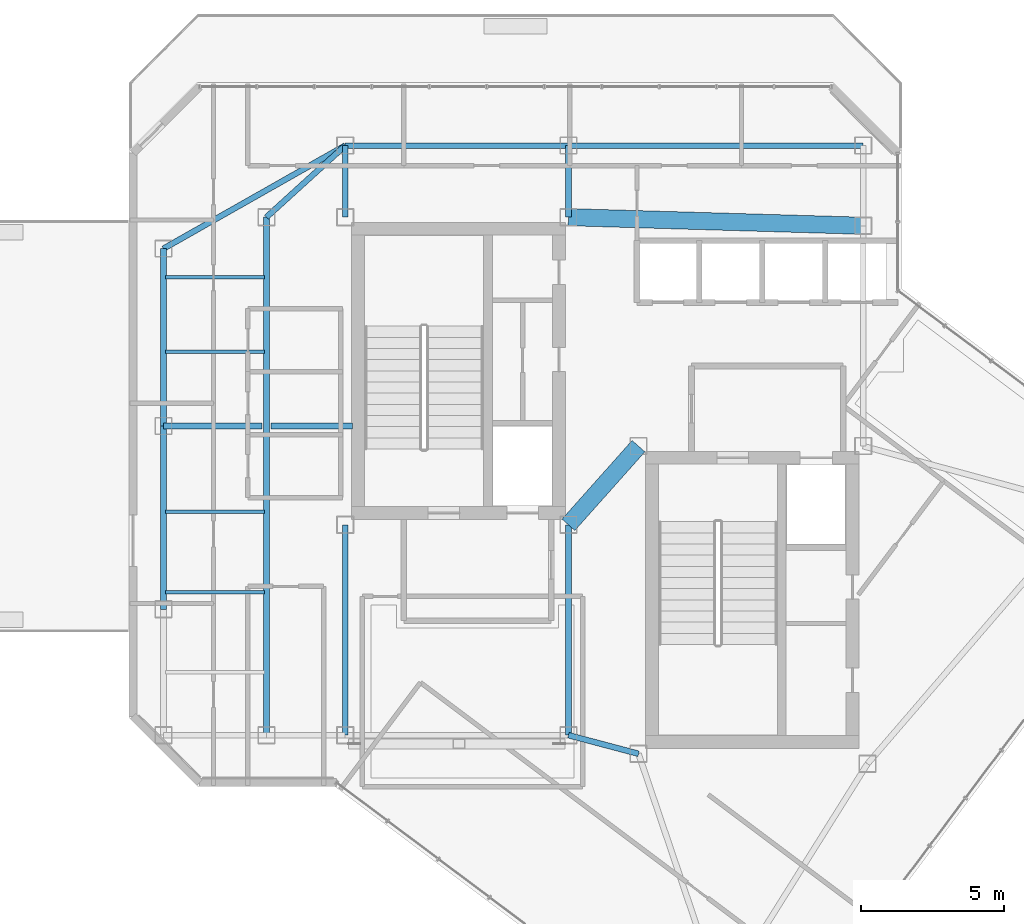
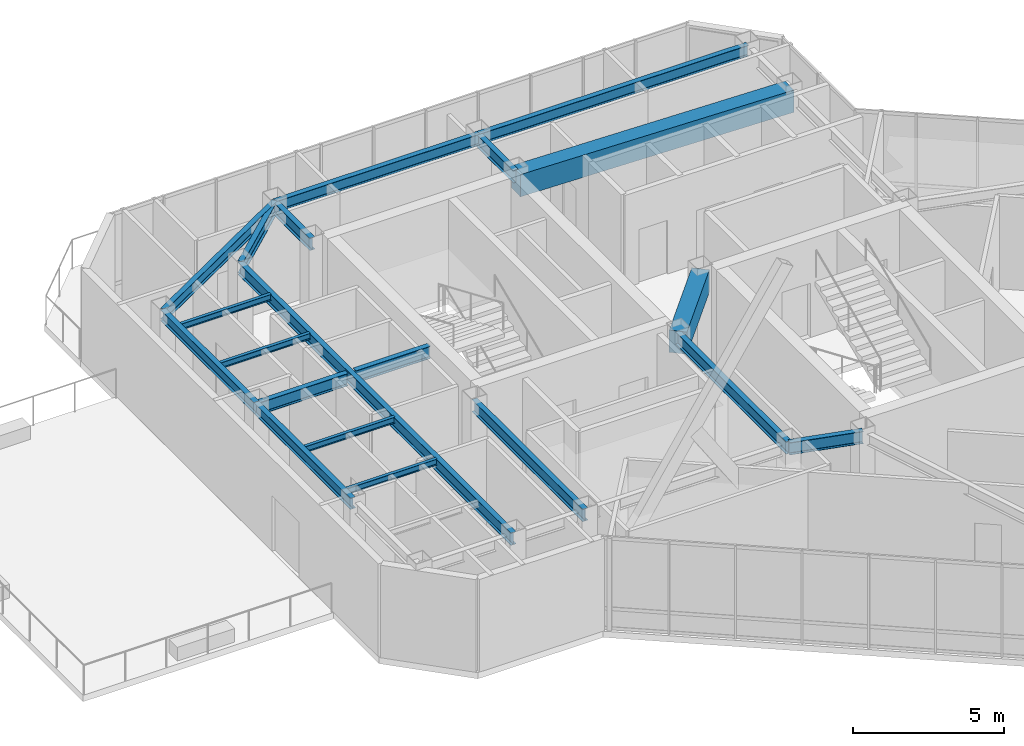
# One storey, part 6 of 21: 20 beams.
"""IFC4 building model written with IfcOpenShell, lengths in metres."""

from ifc_helpers import new_model, si_unit, direction, frame, origin, origin_2d, place, context, subcontext, project, spatial, rectangle, i_section, extrude, material, material_profile, profile_set, type_object, element, save


model = new_model("IFC4")

# Units and contexts
model_context = context("Model", 3, precision=1e-05, world=origin(), true_north=direction((0.0, 1.0)))
body_context = subcontext(model_context, "Body", "Model", "MODEL_VIEW")
ifc_project = project(units=[si_unit("LENGTHUNIT", "METRE"), si_unit("AREAUNIT", "SQUARE_METRE"), si_unit("VOLUMEUNIT", "CUBIC_METRE"), si_unit("PLANEANGLEUNIT", "RADIAN"), si_unit("MASSUNIT", "GRAM", prefix="KILO")], contexts=[model_context])

# Site, building, storey
site_placement = place(None, origin())
site = spatial("IfcSite", under=ifc_project, at=site_placement, CompositionType="ELEMENT")
building_placement = place(site_placement, origin())
building = spatial("IfcBuilding", under=site, at=building_placement, Name="Hatsunagi Terrace Concourse", CompositionType="ELEMENT")
storey_placement = place(building_placement, frame((0.0, 0.0, 265.949951171875)))
storey = spatial("IfcBuildingStorey", under=building, at=storey_placement, Name="L70", CompositionType="ELEMENT", Elevation=265.949951171875)

# Beams
ifc_material_1 = material(Name="Concrete Fc42", Category="concrete")
ifc_material_profile_1 = material_profile(ifc_material_1, rectangle(XDim=0.60009765625, YDim=0.89990234375, at=origin_2d()), Name="RC-600x900")
ifc_profile_set_1 = profile_set([ifc_material_profile_1], Name="Concrete Fc42")
beam_type_1 = type_object("IfcBeamType", Name="CoreCouplingBeam_RC_600x900", PredefinedType="BEAM", material=ifc_profile_set_1)
beam_1_placement = place(storey_placement, frame((33.35009765625, 32.550048828125, 3.300048828125), z_axis=(0.665198651008, 0.746666427997, 0.0), x_axis=(-0.746666427997, 0.665198651008, 0.0)))
element("IfcBeam", 1, at=beam_1_placement, inside=storey, type_object=beam_type_1, Name="Beam CB-03 CB-L70-1", PredefinedType="BEAM", context=body_context, shape_type="SweptSolid", body=[
    extrude(rectangle(XDim=0.60009765625, YDim=0.89990234375, at=origin_2d()), origin(), (0.0, 0.0, 1.0), 3.68310546875),
])
beam_2_placement = place(storey_placement, frame((33.35009765625, 43.300048828125, 3.300048828125), z_axis=(0.999575947545, -0.029119153303, 0.0), x_axis=(0.029119153303, 0.999575947545, 0.0)))
element("IfcBeam", 2, at=beam_2_placement, inside=storey, type_object=beam_type_1, Name="Beam CB-03 CB-L70-2", PredefinedType="BEAM", context=body_context, shape_type="SweptSolid", body=[
    extrude(rectangle(XDim=0.60009765625, YDim=0.89990234375, at=origin_2d()), origin(), (0.0, 0.0, 1.0), 10.30419921875),
])
ifc_material_2 = material(Name="Steel SN490B", Category="steel")
ifc_material_profile_2 = material_profile(ifc_material_2, i_section(OverallWidth=0.199951171875, OverallDepth=0.5, WebThickness=0.010009765625, FlangeThickness=0.01611328125, FilletRadius=0.01611328125, at=origin_2d()), Name="H-500x200x10x16")
ifc_profile_set_2 = profile_set([ifc_material_profile_2], Name="Steel SN490B")
beam_type_2 = type_object("IfcBeamType", Name="CrownFloorGirder_H_500x200", PredefinedType="BEAM", material=ifc_profile_set_2)
for number, where, z_axis, x_axis, name in (
    (3, (25.550048828125, 25.199951171875, 3.5), (0.0, 1.0, 0.0), (-1.0, 0.0, 0.0), "Beam G-07 BM-L70-K1CA"),
    (4, (33.35009765625, 25.199951171875, 3.5), (0.0, 1.0, 0.0), (-1.0, 0.0, 0.0), "Beam G-07 BM-L70-K2CA"),
):
    element("IfcBeam", number, at=place(storey_placement, frame(where, z_axis=z_axis, x_axis=x_axis)), inside=storey, type_object=beam_type_2, Name=name, PredefinedType="BEAM", context=body_context, shape_type="SweptSolid", body=[
        extrude(i_section(OverallWidth=0.199951171875, OverallDepth=0.5, WebThickness=0.010009765625, FlangeThickness=0.01611328125, FilletRadius=0.01611328125, at=origin_2d()), origin(), (0.0, 0.0, 1.0), 7.35009765625),
    ])
beam_3_placement = place(storey_placement, frame((33.35009765625, 25.199951171875, 3.5), z_axis=(0.966569840116, -0.256403479262, 0.0), x_axis=(0.256403479262, 0.966569840116, 0.0)))
element("IfcBeam", 5, at=beam_3_placement, inside=storey, type_object=beam_type_2, Name="Beam G-07 BM-L70-K2CB", PredefinedType="BEAM", context=body_context, shape_type="SweptSolid", body=[
    extrude(i_section(OverallWidth=0.199951171875, OverallDepth=0.5, WebThickness=0.010009765625, FlangeThickness=0.01611328125, FilletRadius=0.01611328125, at=origin_2d()), origin(), (0.0, 0.0, 1.0), 2.53466796875),
])
for number, where, z_axis, x_axis, name in (
    (6, (25.550048828125, 43.300048828125, 3.5), (0.0, 1.0, 0.0), (-1.0, 0.0, 0.0), "Beam G-07 BM-L70-CN1"),
    (7, (33.35009765625, 43.300048828125, 3.5), (0.0, 1.0, 0.0), (-1.0, 0.0, 0.0), "Beam G-07 BM-L70-CN2"),
):
    element("IfcBeam", number, at=place(storey_placement, frame(where, z_axis=z_axis, x_axis=x_axis)), inside=storey, type_object=beam_type_2, Name=name, PredefinedType="BEAM", context=body_context, shape_type="SweptSolid", body=[
        extrude(i_section(OverallWidth=0.199951171875, OverallDepth=0.5, WebThickness=0.010009765625, FlangeThickness=0.01611328125, FilletRadius=0.01611328125, at=origin_2d()), origin(), (0.0, 0.0, 1.0), 2.5),
    ])
beam_4_placement = place(storey_placement, frame((22.800048828125, 25.199951171875, 3.5), z_axis=(0.0, 1.0, 0.0), x_axis=(-1.0, 0.0, 0.0)))
element("IfcBeam", 8, at=beam_4_placement, inside=storey, type_object=beam_type_2, Name="Beam G-07 BM-L70-CWNS", PredefinedType="BEAM", context=body_context, shape_type="SweptSolid", body=[
    extrude(i_section(OverallWidth=0.199951171875, OverallDepth=0.5, WebThickness=0.010009765625, FlangeThickness=0.01611328125, FilletRadius=0.01611328125, at=origin_2d()), origin(), (0.0, 0.0, 1.0), 18.10009765625),
])
beam_5_placement = place(storey_placement, frame((22.800048828125, 43.300048828125, 3.5), z_axis=(0.739940073396, 0.672672793996, 0.0), x_axis=(-0.672672793996, 0.739940073396, 0.0)))
element("IfcBeam", 9, at=beam_5_placement, inside=storey, type_object=beam_type_2, Name="Beam G-07 BM-L70-CWEW-N", PredefinedType="BEAM", context=body_context, shape_type="SweptSolid", body=[
    extrude(i_section(OverallWidth=0.199951171875, OverallDepth=0.5, WebThickness=0.010009765625, FlangeThickness=0.01611328125, FilletRadius=0.01611328125, at=origin_2d()), origin(), (0.0, 0.0, 1.0), 3.716552734375),
])
beam_6_placement = place(storey_placement, frame((19.199951171875, 36.0, 3.5), z_axis=(1.0, 0.0, 0.0), x_axis=(0.0, 1.0, 0.0)))
element("IfcBeam", 10, at=beam_6_placement, inside=storey, type_object=beam_type_2, Name="Beam G-07 BM-L70-EW-3", PredefinedType="BEAM", context=body_context, shape_type="SweptSolid", body=[
    extrude(i_section(OverallWidth=0.199951171875, OverallDepth=0.5, WebThickness=0.010009765625, FlangeThickness=0.01611328125, FilletRadius=0.01611328125, at=origin_2d()), origin(), (0.0, 0.0, 1.0), 3.449951171875),
])
beam_7_placement = place(storey_placement, frame((22.949951171875, 36.0, 3.5), z_axis=(1.0, 0.0, 0.0), x_axis=(0.0, 1.0, 0.0)))
element("IfcBeam", 11, at=beam_7_placement, inside=storey, type_object=beam_type_2, Name="Beam G-07 BM-L70-EW-4", PredefinedType="BEAM", context=body_context, shape_type="SweptSolid", body=[
    extrude(i_section(OverallWidth=0.199951171875, OverallDepth=0.5, WebThickness=0.010009765625, FlangeThickness=0.01611328125, FilletRadius=0.01611328125, at=origin_2d()), origin(), (0.0, 0.0, 1.0), 2.860107421875),
])
ifc_material_3 = material(Name="Steel SN490B", Category="steel")
ifc_material_profile_3 = material_profile(ifc_material_3, i_section(OverallWidth=0.125, OverallDepth=0.25, WebThickness=0.006103515625, FlangeThickness=0.009033203125, FilletRadius=0.008056640625, at=origin_2d()), Name="H-250x125x6x9")
ifc_profile_set_3 = profile_set([ifc_material_profile_3], Name="Steel SN490B")
beam_type_3 = type_object("IfcBeamType", Name="CrownJoist_H_250x125", PredefinedType="JOIST", material=ifc_profile_set_3)
for number, where, z_axis, x_axis, name in (
    (12, (19.264892578125, 30.199951171875, 3.625), (1.0, 0.0, 0.0), (0.0, 1.0, 0.0), "Beam J-04 J-L70-W-19-302"),
    (13, (19.264892578125, 33.0, 3.625), (1.0, 0.0, 0.0), (0.0, 1.0, 0.0), "Beam J-04 J-L70-W-19-330"),
    (14, (19.264892578125, 38.60009765625, 3.625), (1.0, 0.0, 0.0), (0.0, 1.0, 0.0), "Beam J-04 J-L70-W-19-386"),
    (15, (19.264892578125, 41.199951171875, 3.625), (1.0, 0.0, 0.0), (0.0, 1.0, 0.0), "Beam J-04 J-L70-W-19-412"),
):
    element("IfcBeam", number, at=place(storey_placement, frame(where, z_axis=z_axis, x_axis=x_axis)), inside=storey, type_object=beam_type_3, Name=name, PredefinedType="JOIST", context=body_context, shape_type="SweptSolid", body=[
        extrude(i_section(OverallWidth=0.125, OverallDepth=0.25, WebThickness=0.006103515625, FlangeThickness=0.009033203125, FilletRadius=0.008056640625, at=origin_2d()), origin(), (0.0, 0.0, 1.0), 3.47021484375),
    ])
ifc_material_4 = material(Name="Steel SN490B", Category="steel")
ifc_material_profile_4 = material_profile(ifc_material_4, i_section(OverallWidth=0.199951171875, OverallDepth=0.449951171875, WebThickness=0.009033203125, FlangeThickness=0.013916015625, FilletRadius=0.01611328125, at=origin_2d()), Name="H-450x200x9x14")
ifc_profile_set_4 = profile_set([ifc_material_profile_4], Name="Steel SN490B")
beam_type_4 = type_object("IfcBeamType", Name="PerimeterSpandrel_H_450x200", PredefinedType="SPANDREL", material=ifc_profile_set_4)
beam_8_placement = place(storey_placement, frame((25.550048828125, 45.800048828125, 3.525146484375), z_axis=(1.0, 0.0, 0.0), x_axis=(0.0, 1.0, 0.0)))
element("IfcBeam", 16, at=beam_8_placement, inside=storey, type_object=beam_type_4, Name="Beam SP-02 BM-L70-CNEW1", PredefinedType="SPANDREL", context=body_context, shape_type="SweptSolid", body=[
    extrude(i_section(OverallWidth=0.199951171875, OverallDepth=0.449951171875, WebThickness=0.009033203125, FlangeThickness=0.013916015625, FilletRadius=0.01611328125, at=origin_2d()), origin(), (0.0, 0.0, 1.0), 7.800048828125),
])
beam_9_placement = place(storey_placement, frame((33.35009765625, 45.800048828125, 3.525146484375), z_axis=(1.0, 0.0, 0.0), x_axis=(0.0, 1.0, 0.0)))
element("IfcBeam", 17, at=beam_9_placement, inside=storey, type_object=beam_type_4, Name="Beam SP-02 BM-L70-CNEW2", PredefinedType="SPANDREL", context=body_context, shape_type="SweptSolid", body=[
    extrude(i_section(OverallWidth=0.199951171875, OverallDepth=0.449951171875, WebThickness=0.009033203125, FlangeThickness=0.013916015625, FilletRadius=0.01611328125, at=origin_2d()), origin(), (0.0, 0.0, 1.0), 10.2998046875),
])
beam_10_placement = place(storey_placement, frame((19.199951171875, 42.199951171875, 3.525146484375), z_axis=(0.869921746418, 0.493189775958, 0.0), x_axis=(-0.493189775958, 0.869921746418, 0.0)))
element("IfcBeam", 18, at=beam_10_placement, inside=storey, type_object=beam_type_4, Name="Beam SP-02 BM-L70-CR1N", PredefinedType="SPANDREL", context=body_context, shape_type="SweptSolid", body=[
    extrude(i_section(OverallWidth=0.199951171875, OverallDepth=0.449951171875, WebThickness=0.009033203125, FlangeThickness=0.013916015625, FilletRadius=0.01611328125, at=origin_2d()), origin(), (0.0, 0.0, 1.0), 7.299560546875),
])
beam_11_placement = place(storey_placement, frame((19.199951171875, 29.60009765625, 3.525146484375), z_axis=(0.0, 1.0, 0.0), x_axis=(-1.0, 0.0, 0.0)))
element("IfcBeam", 19, at=beam_11_placement, inside=storey, type_object=beam_type_4, Name="Beam SP-02 BM-L70-NS-19-29", PredefinedType="SPANDREL", context=body_context, shape_type="SweptSolid", body=[
    extrude(i_section(OverallWidth=0.199951171875, OverallDepth=0.449951171875, WebThickness=0.009033203125, FlangeThickness=0.013916015625, FilletRadius=0.01611328125, at=origin_2d()), origin(), (0.0, 0.0, 1.0), 6.39990234375),
])
beam_12_placement = place(storey_placement, frame((19.199951171875, 36.0, 3.525146484375), z_axis=(0.0, 1.0, 0.0), x_axis=(-1.0, 0.0, 0.0)))
element("IfcBeam", 20, at=beam_12_placement, inside=storey, type_object=beam_type_4, Name="Beam SP-02 BM-L70-NS-19-36", PredefinedType="SPANDREL", context=body_context, shape_type="SweptSolid", body=[
    extrude(i_section(OverallWidth=0.199951171875, OverallDepth=0.449951171875, WebThickness=0.009033203125, FlangeThickness=0.013916015625, FilletRadius=0.01611328125, at=origin_2d()), origin(), (0.0, 0.0, 1.0), 6.199951171875),
])

save(model, "model.ifc")
